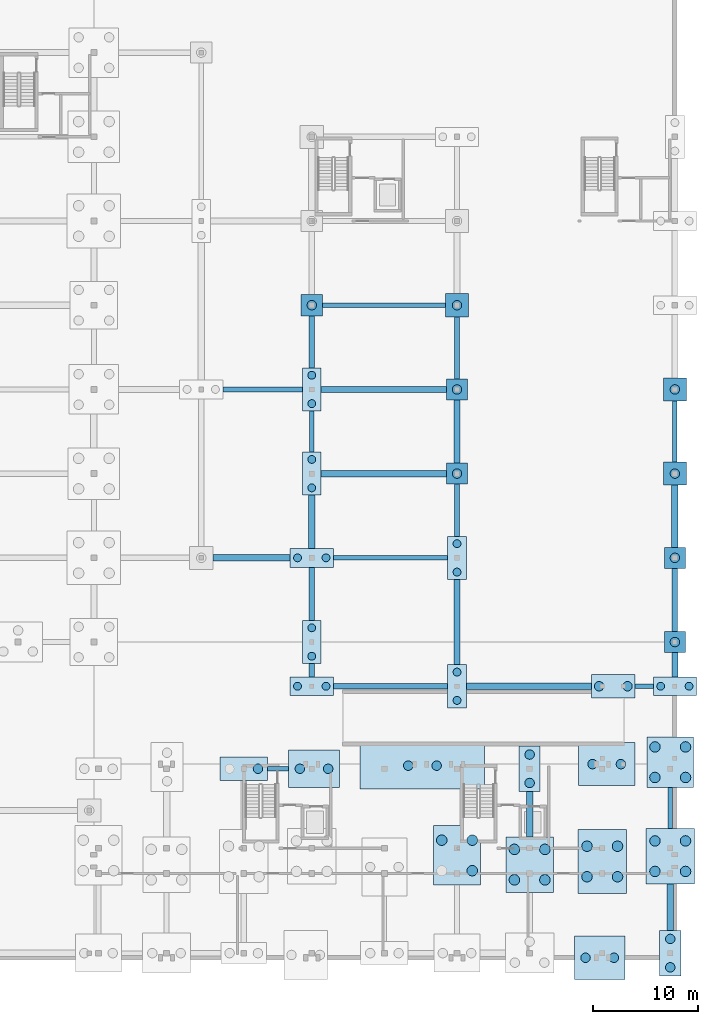
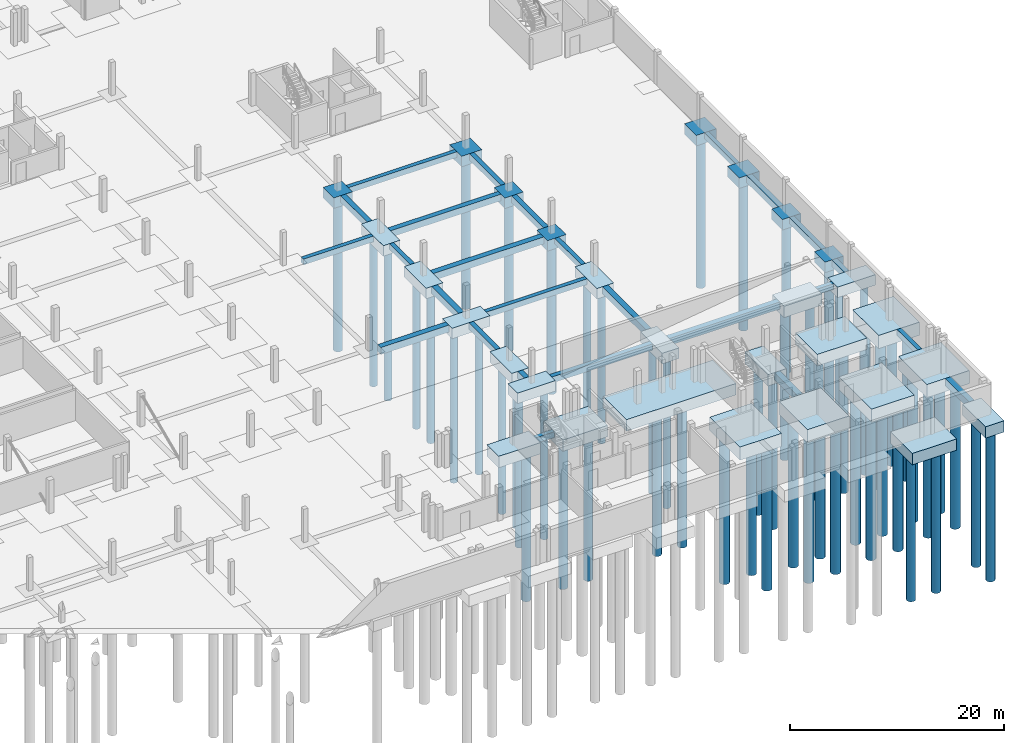
# One storey, part 9 of 38: 58 piles, 55 footings.
"""IFC4 building model written with IfcOpenShell, lengths in metres."""

import ifcopenshell
import ifcopenshell.guid

model = None  # the IFC model being written
_history = None  # IfcOwnerHistory: only IFC2X3 demands one
_inside = {}  # id of a spatial element -> (the spatial element, [elements in it])
_under = {}  # id of a project, library or spatial element -> (it, [spatial elements below it])
_declared = {}  # id of a project -> (the project, [libraries it declares])
_typed = {}  # id of a type object -> (the type object, [elements of that type])
_made_of = {}  # id of a material, layer set ... -> (it, [elements and type objects made of it])


def new_model(schema):
    """Start an empty IFC model of exactly this schema.

    Asked for "IFC4X3", IfcOpenShell would pick the latest addendum, in which some entities
    have other attributes; the version numbers below select the first issue.
    IFC2X3 requires an IfcOwnerHistory on every rooted entity: one is made here for all.
    """
    global model, _history
    if schema == "IFC4X3":
        model = ifcopenshell.file(schema_version=(4, 3, 0, 0))
    else:
        model = ifcopenshell.file(schema=schema)
    _inside.clear()
    _under.clear()
    _declared.clear()
    _typed.clear()
    _made_of.clear()
    _history = None
    if model.schema == "IFC2X3":
        org = make("IfcOrganization", Name="unknown")
        user = make(
            "IfcPersonAndOrganization",
            ThePerson=make("IfcPerson", FamilyName="unknown"),
            TheOrganization=org,
        )
        app = make(
            "IfcApplication",
            ApplicationDeveloper=org,
            Version="unknown",
            ApplicationFullName="unknown",
            ApplicationIdentifier="unknown",
        )
        _history = make(
            "IfcOwnerHistory",
            OwningUser=user,
            OwningApplication=app,
            ChangeAction="ADDED",
            CreationDate=0,
        )
    return model


def make(cls, **values):
    """One entity of the class cls with the attributes given. An attribute that is None is left unset."""
    return model.create_entity(
        cls, **{name: value for name, value in values.items() if value is not None}
    )


def rooted(cls, **values):
    """An entity with a GlobalId (a new one), such as an element, a storey or a relation."""
    return make(cls, GlobalId=ifcopenshell.guid.new(), OwnerHistory=_history, **values)


def si_unit(unit_type, name, prefix=None):
    """IfcSIUnit, for example si_unit("LENGTHUNIT", "METRE", prefix="MILLI")."""
    return make("IfcSIUnit", UnitType=unit_type, Prefix=prefix, Name=name)


def assignment(units):
    """IfcUnitAssignment: the units of a project."""
    return None if units is None else make("IfcUnitAssignment", Units=units)


def point(xyz):
    """IfcCartesianPoint."""
    return None if xyz is None else make("IfcCartesianPoint", Coordinates=xyz)


def direction(xyz):
    """IfcDirection."""
    return None if xyz is None else make("IfcDirection", DirectionRatios=xyz)


def frame(location, z_axis=None, x_axis=None):
    """IfcAxis2Placement3D, a coordinate frame: its origin and axes. An axis left out is left unset."""
    return make(
        "IfcAxis2Placement3D",
        Location=point(location),
        Axis=direction(z_axis),
        RefDirection=direction(x_axis),
    )


def frame_2d(location, x_axis=None):
    """IfcAxis2Placement2D, a coordinate frame in the plane: its origin and x axis."""
    return make(
        "IfcAxis2Placement2D", Location=point(location), RefDirection=direction(x_axis)
    )


def origin():
    """The frame at (0, 0, 0) with its axes left unset."""
    return frame((0.0, 0.0, 0.0))


def origin_2d():
    """The frame at (0, 0) in the plane with its x axis left unset."""
    return frame_2d((0.0, 0.0))


def place(relative_to, where):
    """IfcLocalPlacement: puts the frame where relative to a parent placement (None: the world)."""
    return make(
        "IfcLocalPlacement", PlacementRelTo=relative_to, RelativePlacement=where
    )


def context(
    kind, dimensions, precision=None, world=None, true_north=None, identifier=None
):
    """IfcGeometricRepresentationContext, for example the 3D "Model" context."""
    return make(
        "IfcGeometricRepresentationContext",
        ContextIdentifier=identifier,
        ContextType=kind,
        CoordinateSpaceDimension=dimensions,
        Precision=precision,
        WorldCoordinateSystem=world,
        TrueNorth=true_north,
    )


def subcontext(parent, identifier, kind, view, scale=None):
    """IfcGeometricRepresentationSubContext, for example "Body" below "Model"."""
    return make(
        "IfcGeometricRepresentationSubContext",
        ContextIdentifier=identifier,
        ContextType=kind,
        ParentContext=parent,
        TargetScale=scale,
        TargetView=view,
    )


def project(units=None, contexts=None):
    """IfcProject with its units and contexts."""
    return rooted(
        "IfcProject",
        Name="project",
        RepresentationContexts=contexts,
        UnitsInContext=assignment(units),
    )


def spatial(cls, under=None, at=None, **own):
    """A site, building, storey or space (cls), placed at a placement, below another one or the project."""
    s = rooted(cls, ObjectPlacement=at, **own)
    if under is not None:
        _under.setdefault(under.id(), (under, []))[1].append(s)
    return s


def profile(cls, at=None, kind="AREA", **sizes):
    """A parametric profile (cls). Its sizes go by their IFC names, for example OverallWidth=200.0."""
    return make(cls, ProfileType=kind, Position=at, **sizes)


def rectangle(**sizes):
    """IfcRectangleProfileDef."""
    return profile("IfcRectangleProfileDef", **sizes)


def circle(**sizes):
    """IfcCircleProfileDef."""
    return profile("IfcCircleProfileDef", **sizes)


def extrude(swept, where, along, depth):
    """IfcExtrudedAreaSolid: the profile swept, set in the frame where, extruded along a direction by depth."""
    return make(
        "IfcExtrudedAreaSolid",
        SweptArea=swept,
        Position=where,
        ExtrudedDirection=direction(along),
        Depth=depth,
    )


def shape(context_of_items, identifier, shape_type, items):
    """IfcShapeRepresentation: the items that make up one representation, for example the "Body"."""
    return make(
        "IfcShapeRepresentation",
        ContextOfItems=context_of_items,
        RepresentationIdentifier=identifier,
        RepresentationType=shape_type,
        Items=items,
    )


def material(Name=None, Category=None):
    """IfcMaterial."""
    return make("IfcMaterial", Name=Name, Category=Category)


def material_profile(
    of_material, cross_section, Name=None, Category=None, Priority=None
):
    """IfcMaterialProfile: a cross section and its material."""
    return make(
        "IfcMaterialProfile",
        Name=Name,
        Material=of_material,
        Profile=cross_section,
        Priority=Priority,
        Category=Category,
    )


def profile_set(profiles, Name=None, composite=None):
    """IfcMaterialProfileSet."""
    return make(
        "IfcMaterialProfileSet",
        Name=Name,
        MaterialProfiles=profiles,
        CompositeProfile=composite,
    )


def made_of(thing, what):
    """Note that an element or type object is made of a material, layer set ...; save() writes the relation."""
    if what is not None:
        _made_of.setdefault(what.id(), (what, []))[1].append(thing)
    return thing


def type_object(cls, material=None, **own):
    """A type object (cls), such as IfcWallType, which elements share."""
    return made_of(rooted(cls, **own), material)


def element(
    cls,
    number,
    at=None,
    inside=None,
    cuts=None,
    type_object=None,
    material=None,
    context=None,
    identifier="Body",
    shape_type=None,
    held_by="IfcProductDefinitionShape",
    body=None,
    shapes=None,
    **own,
):
    """One element of the class cls, such as IfcWall. Its Tag is "e" and its number.

    at: its placement. inside: the storey or other place that contains it. cuts: it is an
    opening in that element (IfcRelVoidsElement). A single representation is given by context,
    identifier, shape_type and body (its items); several are given by shapes. held_by: the class
    of the entity that holds the representations. save() writes the other relations.
    """
    e = rooted(cls, Tag="e%d" % number, ObjectPlacement=at, **own)
    if body is not None:
        shapes = [shape(context, identifier, shape_type, body)]
    if shapes is not None:
        e.Representation = make(held_by, Representations=shapes)
    if inside is not None:
        _inside.setdefault(inside.id(), (inside, []))[1].append(e)
    if cuts is not None:
        rooted(
            "IfcRelVoidsElement", RelatingBuildingElement=cuts, RelatedOpeningElement=e
        )
    if type_object is not None:
        _typed.setdefault(type_object.id(), (type_object, []))[1].append(e)
    return made_of(e, material)


def aggregate(whole, parts):
    """IfcRelAggregates: a whole, such as a stair, and the parts it consists of."""
    return rooted("IfcRelAggregates", RelatingObject=whole, RelatedObjects=parts)


def save(model, path):
    """Write the relations noted so far, then the file.

    IfcRelAggregates (storeys below a building ...), IfcRelContainedInSpatialStructure (elements
    in a storey), IfcRelDefinesByType, IfcRelAssociatesMaterial and IfcRelDeclares: one each for
    every whole, place, type object, material and project.
    """
    for whole, parts in _under.values():
        aggregate(whole, parts)
    for where, things in _inside.values():
        rooted(
            "IfcRelContainedInSpatialStructure",
            RelatedElements=things,
            RelatingStructure=where,
        )
    for kind, things in _typed.values():
        rooted("IfcRelDefinesByType", RelatedObjects=things, RelatingType=kind)
    for what, things in _made_of.values():
        rooted("IfcRelAssociatesMaterial", RelatedObjects=things, RelatingMaterial=what)
    for by, libraries in _declared.values():
        rooted("IfcRelDeclares", RelatingContext=by, RelatedDefinitions=libraries)
    model.write(path)


model = new_model("IFC4")

# Units and contexts
model_context = context("Model", 3, precision=1e-05, world=origin(), true_north=direction((0.0, 1.0)))
body_context = subcontext(model_context, "Body", "Model", "MODEL_VIEW")
ifc_project = project(units=[si_unit("LENGTHUNIT", "METRE"), si_unit("AREAUNIT", "SQUARE_METRE"), si_unit("VOLUMEUNIT", "CUBIC_METRE"), si_unit("PLANEANGLEUNIT", "RADIAN"), si_unit("MASSUNIT", "GRAM", prefix="KILO")], contexts=[model_context])

# Site, building, storey
site_placement = place(None, origin())
site = spatial("IfcSite", under=ifc_project, at=site_placement, CompositionType="ELEMENT")
building_placement = place(site_placement, origin())
building = spatial("IfcBuilding", under=site, at=building_placement, Name="Zavelmont Quarter", CompositionType="ELEMENT")
storey_placement = place(building_placement, frame((0.0, 0.0, -3.800048828125)))
storey = spatial("IfcBuildingStorey", under=building, at=storey_placement, Name="B01", CompositionType="ELEMENT", Elevation=-3.800048828125)

# Footings
ifc_material = material(Name="Concrete C35/45", Category="concrete")
footing_type_1 = type_object("IfcFootingType", Name="GB01", PredefinedType="FOOTING_BEAM", material=ifc_material)
footing_1_placement = place(storey_placement, frame((140.97509765625, 25.800048828125, -0.69970703125), z_axis=(0.0, 0.0, 1.0), x_axis=(1.0, 0.0, 0.0)))
element("IfcFooting", 1, at=footing_1_placement, inside=storey, type_object=footing_type_1, Name="B01 ground beam GB01 at 21/E", PredefinedType="FOOTING_BEAM", context=body_context, shape_type="SweptSolid", body=[
    extrude(rectangle(XDim=10.85009765625, YDim=0.5, at=origin_2d()), origin(), (0.0, 0.0, 1.0), 0.699951171875),
])
footing_2_placement = place(storey_placement, frame((133.5, 34.574951171875, -0.69970703125), z_axis=(0.0, 0.0, 1.0), x_axis=(0.0, 1.0, 0.0)))
element("IfcFooting", 2, at=footing_2_placement, inside=storey, type_object=footing_type_1, Name="B01 ground beam GB01 at 20/G", PredefinedType="FOOTING_BEAM", context=body_context, shape_type="SweptSolid", body=[
    extrude(rectangle(XDim=5.050048828125, YDim=0.5, at=origin_2d()), origin(), (0.0, 0.0, 1.0), 0.699951171875),
])
footing_3_placement = place(storey_placement, frame((147.300048828125, 57.949951171875, -0.69970703125), z_axis=(0.0, 0.0, 1.0), x_axis=(0.0, 1.0, 0.0)))
element("IfcFooting", 3, at=footing_3_placement, inside=storey, type_object=footing_type_1, Name="B01 ground beam GB01 at 22/J", PredefinedType="FOOTING_BEAM", context=body_context, shape_type="SweptSolid", body=[
    extrude(rectangle(XDim=5.89990234375, YDim=0.5, at=origin_2d()), origin(), (0.0, 0.0, 1.0), 0.699951171875),
])
footing_4_placement = place(storey_placement, frame((168.0, 34.0, -0.69970703125), z_axis=(0.0, 0.0, 1.0), x_axis=(0.0, 1.0, 0.0)))
element("IfcFooting", 4, at=footing_4_placement, inside=storey, type_object=footing_type_1, Name="B01 ground beam GB01 at 25/F", PredefinedType="FOOTING_BEAM", context=body_context, shape_type="SweptSolid", body=[
    extrude(rectangle(XDim=6.0, YDim=0.5, at=origin_2d()), origin(), (0.0, 0.0, 1.0), 0.699951171875),
])
footing_type_2 = type_object("IfcFootingType", Name="GB02", PredefinedType="FOOTING_BEAM", material=ifc_material)
footing_5_placement = place(storey_placement, frame((154.14990234375, 25.800048828125, -0.7998046875), z_axis=(0.0, 0.0, 1.0), x_axis=(1.0, 0.0, 0.0)))
element("IfcFooting", 5, at=footing_5_placement, inside=storey, type_object=footing_type_2, Name="B01 ground beam GB02 at 23/E", PredefinedType="FOOTING_BEAM", context=body_context, shape_type="SweptSolid", body=[
    extrude(rectangle(XDim=11.89990234375, YDim=0.60009765625, at=origin_2d()), origin(), (0.0, 0.0, 1.0), 0.800048828125),
])
footing_6_placement = place(storey_placement, frame((127.77490234375, 38.0, -0.7998046875), z_axis=(0.0, 0.0, 1.0), x_axis=(1.0, 0.0, 0.0)))
element("IfcFooting", 6, at=footing_6_placement, inside=storey, type_object=footing_type_2, Name="B01 ground beam GB02 at 19/G", PredefinedType="FOOTING_BEAM", context=body_context, shape_type="SweptSolid", body=[
    extrude(rectangle(XDim=7.35009765625, YDim=0.60009765625, at=origin_2d()), origin(), (0.0, 0.0, 1.0), 0.800048828125),
])
footing_7_placement = place(storey_placement, frame((140.35009765625, 46.0, -0.7998046875), z_axis=(0.0, 0.0, 1.0), x_axis=(1.0, 0.0, 0.0)))
element("IfcFooting", 7, at=footing_7_placement, inside=storey, type_object=footing_type_2, Name="B01 ground beam GB02 at 21/H", PredefinedType="FOOTING_BEAM", context=body_context, shape_type="SweptSolid", body=[
    extrude(rectangle(XDim=11.89990234375, YDim=0.60009765625, at=origin_2d()), origin(), (0.0, 0.0, 1.0), 0.800048828125),
])
footing_8_placement = place(storey_placement, frame((133.5, 41.425048828125, -0.7998046875), z_axis=(0.0, 0.0, 1.0), x_axis=(0.0, 1.0, 0.0)))
element("IfcFooting", 8, at=footing_8_placement, inside=storey, type_object=footing_type_2, Name="B01 ground beam GB02 at 20/G", PredefinedType="FOOTING_BEAM", context=body_context, shape_type="SweptSolid", body=[
    extrude(rectangle(XDim=5.050048828125, YDim=0.60009765625, at=origin_2d()), origin(), (0.0, 0.0, 1.0), 0.800048828125),
])
footing_9_placement = place(storey_placement, frame((147.300048828125, 31.89990234375, -0.7998046875), z_axis=(0.0, 0.0, 1.0), x_axis=(0.0, 1.0, 0.0)))
element("IfcFooting", 9, at=footing_9_placement, inside=storey, type_object=footing_type_2, Name="B01 ground beam GB02 at 22/F", PredefinedType="FOOTING_BEAM", context=body_context, shape_type="SweptSolid", body=[
    extrude(rectangle(XDim=8.10009765625, YDim=0.60009765625, at=origin_2d()), origin(), (0.0, 0.0, 1.0), 0.800048828125),
])
footing_10_placement = place(storey_placement, frame((154.199951171875, 13.655029296875, -0.7998046875), z_axis=(0.0, 0.0, 1.0), x_axis=(0.0, 1.0, 0.0)))
element("IfcFooting", 10, at=footing_10_placement, inside=storey, type_object=footing_type_2, Name="B01 ground beam GB02 at 23/C", PredefinedType="FOOTING_BEAM", context=body_context, shape_type="SweptSolid", body=[
    extrude(rectangle(XDim=4.31005859375, YDim=0.60009765625, at=origin_2d()), origin(), (0.0, 0.0, 1.0), 0.800048828125),
])
footing_11_placement = place(storey_placement, frame((167.56005859375, 4.794921875, -0.7998046875), z_axis=(0.0, 0.0, 1.0), x_axis=(0.0, 1.0, 0.0)))
element("IfcFooting", 11, at=footing_11_placement, inside=storey, type_object=footing_type_2, Name="B01 ground beam GB02 at 25/B", PredefinedType="FOOTING_BEAM", context=body_context, shape_type="SweptSolid", body=[
    extrude(rectangle(XDim=4.409912109375, YDim=0.60009765625, at=origin_2d()), origin(), (0.0, 0.0, 1.0), 0.800048828125),
])
footing_12_placement = place(storey_placement, frame((168.0, 41.949951171875, -0.7998046875), z_axis=(0.0, 0.0, 1.0), x_axis=(0.0, 1.0, 0.0)))
element("IfcFooting", 12, at=footing_12_placement, inside=storey, type_object=footing_type_2, Name="B01 ground beam GB02 at 25/G", PredefinedType="FOOTING_BEAM", context=body_context, shape_type="SweptSolid", body=[
    extrude(rectangle(XDim=5.89990234375, YDim=0.60009765625, at=origin_2d()), origin(), (0.0, 0.0, 1.0), 0.800048828125),
])
footing_type_3 = type_object("IfcFootingType", Name="GB03", PredefinedType="FOOTING_BEAM", material=ifc_material)
footing_13_placement = place(storey_placement, frame((130.294921875, 17.9599609375, -0.64990234375), z_axis=(0.0, 0.0, 1.0), x_axis=(1.0, 0.0, 0.0)))
element("IfcFooting", 13, at=footing_13_placement, inside=storey, type_object=footing_type_3, Name="B01 ground beam GB03 at 20/D", PredefinedType="FOOTING_BEAM", context=body_context, shape_type="SweptSolid", body=[
    extrude(rectangle(XDim=2.010009765625, YDim=0.449951171875, at=origin_2d()), origin(), (0.0, 0.0, 1.0), 0.64990234375),
])
footing_14_placement = place(storey_placement, frame((165.074951171875, 25.800048828125, -0.64990234375), z_axis=(0.0, 0.0, 1.0), x_axis=(1.0, 0.0, 0.0)))
element("IfcFooting", 14, at=footing_14_placement, inside=storey, type_object=footing_type_3, Name="B01 ground beam GB03 at 25/E", PredefinedType="FOOTING_BEAM", context=body_context, shape_type="SweptSolid", body=[
    extrude(rectangle(XDim=1.75, YDim=0.449951171875, at=origin_2d()), origin(), (0.0, 0.0, 1.0), 0.64990234375),
])
footing_15_placement = place(storey_placement, frame((140.97509765625, 38.0, -0.64990234375), z_axis=(0.0, 0.0, 1.0), x_axis=(1.0, 0.0, 0.0)))
element("IfcFooting", 15, at=footing_15_placement, inside=storey, type_object=footing_type_3, Name="B01 ground beam GB03 at 21/G", PredefinedType="FOOTING_BEAM", context=body_context, shape_type="SweptSolid", body=[
    extrude(rectangle(XDim=10.85009765625, YDim=0.449951171875, at=origin_2d()), origin(), (0.0, 0.0, 1.0), 0.64990234375),
])
footing_16_placement = place(storey_placement, frame((128.824951171875, 54.0, -0.64990234375), z_axis=(0.0, 0.0, 1.0), x_axis=(1.0, 0.0, 0.0)))
element("IfcFooting", 16, at=footing_16_placement, inside=storey, type_object=footing_type_3, Name="B01 ground beam GB03 at 19/J", PredefinedType="FOOTING_BEAM", context=body_context, shape_type="SweptSolid", body=[
    extrude(rectangle(XDim=7.550048828125, YDim=0.449951171875, at=origin_2d()), origin(), (0.0, 0.0, 1.0), 0.64990234375),
])
footing_17_placement = place(storey_placement, frame((140.35009765625, 62.0, -0.64990234375), z_axis=(0.0, 0.0, 1.0), x_axis=(1.0, 0.0, 0.0)))
element("IfcFooting", 17, at=footing_17_placement, inside=storey, type_object=footing_type_3, Name="B01 ground beam GB03 at 21/K", PredefinedType="FOOTING_BEAM", context=body_context, shape_type="SweptSolid", body=[
    extrude(rectangle(XDim=11.699951171875, YDim=0.449951171875, at=origin_2d()), origin(), (0.0, 0.0, 1.0), 0.64990234375),
])
footing_18_placement = place(storey_placement, frame((133.5, 50.0, -0.64990234375), z_axis=(0.0, 0.0, 1.0), x_axis=(0.0, 1.0, 0.0)))
element("IfcFooting", 18, at=footing_18_placement, inside=storey, type_object=footing_type_3, Name="B01 ground beam GB03 at 20/H", PredefinedType="FOOTING_BEAM", context=body_context, shape_type="SweptSolid", body=[
    extrude(rectangle(XDim=3.89990234375, YDim=0.449951171875, at=origin_2d()), origin(), (0.0, 0.0, 1.0), 0.64990234375),
])
footing_19_placement = place(storey_placement, frame((147.300048828125, 42.52490234375, -0.64990234375), z_axis=(0.0, 0.0, 1.0), x_axis=(0.0, 1.0, 0.0)))
element("IfcFooting", 19, at=footing_19_placement, inside=storey, type_object=footing_type_3, Name="B01 ground beam GB03 at 22/H", PredefinedType="FOOTING_BEAM", context=body_context, shape_type="SweptSolid", body=[
    extrude(rectangle(XDim=4.949951171875, YDim=0.449951171875, at=origin_2d()), origin(), (0.0, 0.0, 1.0), 0.64990234375),
])
footing_20_placement = place(storey_placement, frame((167.56005859375, 14.22998046875, -0.64990234375), z_axis=(0.0, 0.0, 1.0), x_axis=(0.0, 1.0, 0.0)))
element("IfcFooting", 20, at=footing_20_placement, inside=storey, type_object=footing_type_3, Name="B01 ground beam GB03 at 25/C", PredefinedType="FOOTING_BEAM", context=body_context, shape_type="SweptSolid", body=[
    extrude(rectangle(XDim=3.860107421875, YDim=0.449951171875, at=origin_2d()), origin(), (0.0, 0.0, 1.0), 0.64990234375),
])
footing_21_placement = place(storey_placement, frame((168.0, 50.0, -0.64990234375), z_axis=(0.0, 0.0, 1.0), x_axis=(0.0, 1.0, 0.0)))
element("IfcFooting", 21, at=footing_21_placement, inside=storey, type_object=footing_type_3, Name="B01 ground beam GB03 at 25/H", PredefinedType="FOOTING_BEAM", context=body_context, shape_type="SweptSolid", body=[
    extrude(rectangle(XDim=5.800048828125, YDim=0.449951171875, at=origin_2d()), origin(), (0.0, 0.0, 1.0), 0.64990234375),
])
footing_type_4 = type_object("IfcFootingType", Name="GB04", PredefinedType="FOOTING_BEAM", material=ifc_material)
footing_22_placement = place(storey_placement, frame((140.35009765625, 54.0, -0.75), z_axis=(0.0, 0.0, 1.0), x_axis=(1.0, 0.0, 0.0)))
element("IfcFooting", 22, at=footing_22_placement, inside=storey, type_object=footing_type_4, Name="B01 ground beam GB04 at 21/J", PredefinedType="FOOTING_BEAM", context=body_context, shape_type="SweptSolid", body=[
    extrude(rectangle(XDim=11.89990234375, YDim=0.550048828125, at=origin_2d()), origin(), (0.0, 0.0, 1.0), 0.75),
])
footing_23_placement = place(storey_placement, frame((133.5, 27.324951171875, -0.75), z_axis=(0.0, 0.0, 1.0), x_axis=(0.0, 1.0, 0.0)))
element("IfcFooting", 23, at=footing_23_placement, inside=storey, type_object=footing_type_4, Name="B01 ground beam GB04 at 20/E", PredefinedType="FOOTING_BEAM", context=body_context, shape_type="SweptSolid", body=[
    extrude(rectangle(XDim=1.25, YDim=0.550048828125, at=origin_2d()), origin(), (0.0, 0.0, 1.0), 0.75),
])
footing_24_placement = place(storey_placement, frame((133.5, 58.52490234375, -0.75), z_axis=(0.0, 0.0, 1.0), x_axis=(0.0, 1.0, 0.0)))
element("IfcFooting", 24, at=footing_24_placement, inside=storey, type_object=footing_type_4, Name="B01 ground beam GB04 at 20/K", PredefinedType="FOOTING_BEAM", context=body_context, shape_type="SweptSolid", body=[
    extrude(rectangle(XDim=4.949951171875, YDim=0.550048828125, at=origin_2d()), origin(), (0.0, 0.0, 1.0), 0.75),
])
footing_25_placement = place(storey_placement, frame((147.300048828125, 50.0, -0.75), z_axis=(0.0, 0.0, 1.0), x_axis=(0.0, 1.0, 0.0)))
element("IfcFooting", 25, at=footing_25_placement, inside=storey, type_object=footing_type_4, Name="B01 ground beam GB04 at 22/H", PredefinedType="FOOTING_BEAM", context=body_context, shape_type="SweptSolid", body=[
    extrude(rectangle(XDim=6.0, YDim=0.550048828125, at=origin_2d()), origin(), (0.0, 0.0, 1.0), 0.75),
])
footing_26_placement = place(storey_placement, frame((168.0, 27.85009765625, -0.75), z_axis=(0.0, 0.0, 1.0), x_axis=(0.0, 1.0, 0.0)))
element("IfcFooting", 26, at=footing_26_placement, inside=storey, type_object=footing_type_4, Name="B01 ground beam GB04 at 25/E", PredefinedType="FOOTING_BEAM", context=body_context, shape_type="SweptSolid", body=[
    extrude(rectangle(XDim=2.300048828125, YDim=0.550048828125, at=origin_2d()), origin(), (0.0, 0.0, 1.0), 0.75),
])

# Piles
ifc_material_profile_1 = material_profile(ifc_material, circle(Radius=0.5, at=origin_2d()), Name="BP1000")
ifc_profile_set_1 = profile_set([ifc_material_profile_1], Name="Concrete C35/45")
pile_type_1 = type_object("IfcPileType", Name="P01", PredefinedType="BORED", material=ifc_profile_set_1)
for number, where, z_axis, x_axis, name in (
    (27, (152.75, 7.39990234375, -1.39990234375), (0.0, 0.0, -1.0), (1.0, 0.0, 0.0), "B01 bored pile P01 under CAP-017.1"),
    (28, (155.64990234375, 7.39990234375, -1.39990234375), (0.0, 0.0, -1.0), (1.0, 0.0, 0.0), "B01 bored pile P01 under CAP-017.2"),
    (29, (155.64990234375, 10.300048828125, -1.39990234375), (0.0, 0.0, -1.0), (1.0, 0.0, 0.0), "B01 bored pile P01 under CAP-017.3"),
    (30, (152.75, 10.300048828125, -1.39990234375), (0.0, 0.0, -1.0), (1.0, 0.0, 0.0), "B01 bored pile P01 under CAP-017.4"),
    (31, (159.64990234375, 7.699951171875, -1.39990234375), (0.0, 0.0, -1.0), (1.0, 0.0, 0.0), "B01 bored pile P01 under CAP-019.1"),
    (32, (162.550048828125, 7.699951171875, -1.39990234375), (0.0, 0.0, -1.0), (1.0, 0.0, 0.0), "B01 bored pile P01 under CAP-019.2"),
    (33, (162.550048828125, 10.60009765625, -1.39990234375), (0.0, 0.0, -1.0), (1.0, 0.0, 0.0), "B01 bored pile P01 under CAP-019.3"),
    (34, (159.64990234375, 10.60009765625, -1.39990234375), (0.0, 0.0, -1.0), (1.0, 0.0, 0.0), "B01 bored pile P01 under CAP-019.4"),
    (35, (166.110107421875, 8.199951171875, -1.39990234375), (0.0, 0.0, -1.0), (1.0, 0.0, 0.0), "B01 bored pile P01 under CAP-021.1"),
    (36, (169.010009765625, 8.199951171875, -1.39990234375), (0.0, 0.0, -1.0), (1.0, 0.0, 0.0), "B01 bored pile P01 under CAP-021.2"),
    (37, (169.010009765625, 11.10009765625, -1.39990234375), (0.0, 0.0, -1.0), (1.0, 0.0, 0.0), "B01 bored pile P01 under CAP-021.3"),
    (38, (166.110107421875, 11.10009765625, -1.39990234375), (0.0, 0.0, -1.0), (1.0, 0.0, 0.0), "B01 bored pile P01 under CAP-021.4"),
    (39, (148.75, 8.27490234375, -1.39990234375), (0.0, 0.0, -1.0), (1.0, 0.0, 0.0), "B01 bored pile P01 under CAP-023.2"),
    (40, (148.75, 11.175048828125, -1.39990234375), (0.0, 0.0, -1.0), (1.0, 0.0, 0.0), "B01 bored pile P01 under CAP-023.3"),
    (41, (145.85009765625, 11.175048828125, -1.39990234375), (0.0, 0.0, -1.0), (1.0, 0.0, 0.0), "B01 bored pile P01 under CAP-023.4"),
    (42, (166.110107421875, 17.1298828125, -1.39990234375), (0.0, 0.0, -1.0), (1.0, 0.0, 0.0), "B01 bored pile P01 under CAP-042.1"),
    (43, (169.010009765625, 17.1298828125, -1.39990234375), (0.0, 0.0, -1.0), (1.0, 0.0, 0.0), "B01 bored pile P01 under CAP-042.2"),
    (44, (169.010009765625, 20.030029296875, -1.39990234375), (0.0, 0.0, -1.0), (1.0, 0.0, 0.0), "B01 bored pile P01 under CAP-042.3"),
    (45, (166.110107421875, 20.030029296875, -1.39990234375), (0.0, 0.0, -1.0), (1.0, 0.0, 0.0), "B01 bored pile P01 under CAP-042.4"),
):
    element("IfcPile", number, at=place(storey_placement, frame(where, z_axis=z_axis, x_axis=x_axis)), inside=storey, type_object=pile_type_1, Name=name, PredefinedType="BORED", context=body_context, shape_type="SweptSolid", body=[
        extrude(circle(Radius=0.5, at=origin_2d()), origin(), (0.0, 0.0, 1.0), 16.800048828125),
    ])
ifc_material_profile_2 = material_profile(ifc_material, circle(Radius=0.449951171875, at=origin_2d()), Name="BP900")
ifc_profile_set_2 = profile_set([ifc_material_profile_2], Name="Concrete C35/45")
pile_type_2 = type_object("IfcPileType", Name="P03", PredefinedType="BORED", material=ifc_profile_set_2)
for number, where, z_axis, x_axis, name in (
    (46, (159.510009765625, 0.0, -1.199951171875), (0.0, 0.0, -1.0), (1.0, 0.0, 0.0), "B01 bored pile P03 under CAP-001.1"),
    (47, (162.2099609375, 0.0, -1.199951171875), (0.0, 0.0, -1.0), (1.0, 0.0, 0.0), "B01 bored pile P03 under CAP-001.2"),
    (48, (167.56005859375, -0.909912109375, -1.199951171875), (0.0, 0.0, -1.0), (1.0, 0.0, 0.0), "B01 bored pile P03 under CAP-014.1"),
    (49, (167.56005859375, 1.7900390625, -1.199951171875), (0.0, 0.0, -1.0), (1.0, 0.0, 0.0), "B01 bored pile P03 under CAP-014.2"),
    (50, (128.389892578125, 17.9599609375, -1.199951171875), (0.0, 0.0, -1.0), (1.0, 0.0, 0.0), "B01 bored pile P03 under CAP-033.2"),
    (51, (132.364990234375, 17.9599609375, -1.199951171875), (0.0, 0.0, -1.0), (1.0, 0.0, 0.0), "B01 bored pile P03 under CAP-034.1"),
    (52, (135.06494140625, 17.9599609375, -1.199951171875), (0.0, 0.0, -1.0), (1.0, 0.0, 0.0), "B01 bored pile P03 under CAP-034.2"),
    (53, (154.199951171875, 16.610107421875, -1.199951171875), (0.0, 0.0, -1.0), (1.0, 0.0, 0.0), "B01 bored pile P03 under CAP-035.1"),
    (54, (154.199951171875, 19.31005859375, -1.199951171875), (0.0, 0.0, -1.0), (1.0, 0.0, 0.0), "B01 bored pile P03 under CAP-035.2"),
    (55, (142.6650390625, 18.2548828125, -1.199951171875), (0.0, 0.0, -1.0), (1.0, 0.0, 0.0), "B01 bored pile P03 under CAP-037.1"),
    (56, (145.364990234375, 18.2548828125, -1.199951171875), (0.0, 0.0, -1.0), (1.0, 0.0, 0.0), "B01 bored pile P03 under CAP-037.2"),
    (57, (160.175048828125, 18.39990234375, -1.199951171875), (0.0, 0.0, -1.0), (1.0, 0.0, 0.0), "B01 bored pile P03 under CAP-041.1"),
    (58, (162.875, 18.39990234375, -1.199951171875), (0.0, 0.0, -1.0), (1.0, 0.0, 0.0), "B01 bored pile P03 under CAP-041.2"),
    (59, (160.800048828125, 25.800048828125, -1.199951171875), (0.0, 0.0, -1.0), (1.0, 0.0, 0.0), "B01 bored pile P03 under CAP-047.1"),
    (60, (163.5, 25.800048828125, -1.199951171875), (0.0, 0.0, -1.0), (1.0, 0.0, 0.0), "B01 bored pile P03 under CAP-047.2"),
):
    element("IfcPile", number, at=place(storey_placement, frame(where, z_axis=z_axis, x_axis=x_axis)), inside=storey, type_object=pile_type_2, Name=name, PredefinedType="BORED", context=body_context, shape_type="SweptSolid", body=[
        extrude(circle(Radius=0.449951171875, at=origin_2d()), origin(), (0.0, 0.0, 1.0), 17.0),
    ])
ifc_material_profile_3 = material_profile(ifc_material, circle(Radius=0.449951171875, at=origin_2d()), Name="BP900")
ifc_profile_set_3 = profile_set([ifc_material_profile_3], Name="Concrete C35/45")
pile_type_3 = type_object("IfcPileType", Name="P04", PredefinedType="BORED", material=ifc_profile_set_3)
for number, where, z_axis, x_axis, name in (
    (61, (168.0, 30.0, -1.099853515625), (0.0, 0.0, -1.0), (1.0, 0.0, 0.0), "B01 bored pile P04 under CAP-065.1"),
    (62, (168.0, 38.0, -1.099853515625), (0.0, 0.0, -1.0), (1.0, 0.0, 0.0), "B01 bored pile P04 under CAP-078.1"),
    (63, (147.300048828125, 46.0, -1.099853515625), (0.0, 0.0, -1.0), (1.0, 0.0, 0.0), "B01 bored pile P04 under CAP-091.1"),
    (64, (168.0, 46.0, -1.099853515625), (0.0, 0.0, -1.0), (1.0, 0.0, 0.0), "B01 bored pile P04 under CAP-092.1"),
    (65, (147.300048828125, 54.0, -1.099853515625), (0.0, 0.0, -1.0), (1.0, 0.0, 0.0), "B01 bored pile P04 under CAP-104.1"),
    (66, (168.0, 54.0, -1.099853515625), (0.0, 0.0, -1.0), (1.0, 0.0, 0.0), "B01 bored pile P04 under CAP-105.1"),
    (67, (133.5, 62.0, -1.099853515625), (0.0, 0.0, -1.0), (1.0, 0.0, 0.0), "B01 bored pile P04 under CAP-117.1"),
    (68, (147.300048828125, 62.0, -1.099853515625), (0.0, 0.0, -1.0), (1.0, 0.0, 0.0), "B01 bored pile P04 under CAP-118.1"),
):
    element("IfcPile", number, at=place(storey_placement, frame(where, z_axis=z_axis, x_axis=x_axis)), inside=storey, type_object=pile_type_3, Name=name, PredefinedType="BORED", context=body_context, shape_type="SweptSolid", body=[
        extrude(circle(Radius=0.449951171875, at=origin_2d()), origin(), (0.0, 0.0, 1.0), 17.10009765625),
    ])
ifc_material_profile_4 = material_profile(ifc_material, circle(Radius=0.375, at=origin_2d()), Name="BP750")
ifc_profile_set_4 = profile_set([ifc_material_profile_4], Name="Concrete C35/45")
pile_type_4 = type_object("IfcPileType", Name="P05", PredefinedType="BORED", material=ifc_profile_set_4)
for number, where, z_axis, x_axis, name in (
    (69, (132.14990234375, 25.800048828125, -1.099853515625), (0.0, 0.0, -1.0), (1.0, 0.0, 0.0), "B01 bored pile P05 under CAP-045.1"),
    (70, (134.85009765625, 25.800048828125, -1.099853515625), (0.0, 0.0, -1.0), (1.0, 0.0, 0.0), "B01 bored pile P05 under CAP-045.2"),
    (71, (147.300048828125, 24.449951171875, -1.099853515625), (0.0, 0.0, -1.0), (1.0, 0.0, 0.0), "B01 bored pile P05 under CAP-046.1"),
    (72, (147.300048828125, 27.14990234375, -1.099853515625), (0.0, 0.0, -1.0), (1.0, 0.0, 0.0), "B01 bored pile P05 under CAP-046.2"),
    (73, (166.64990234375, 25.800048828125, -1.099853515625), (0.0, 0.0, -1.0), (1.0, 0.0, 0.0), "B01 bored pile P05 under CAP-048.1"),
    (74, (169.35009765625, 25.800048828125, -1.099853515625), (0.0, 0.0, -1.0), (1.0, 0.0, 0.0), "B01 bored pile P05 under CAP-048.2"),
    (75, (133.5, 28.64990234375, -1.099853515625), (0.0, 0.0, -1.0), (1.0, 0.0, 0.0), "B01 bored pile P05 under CAP-064.1"),
    (76, (133.5, 31.35009765625, -1.099853515625), (0.0, 0.0, -1.0), (1.0, 0.0, 0.0), "B01 bored pile P05 under CAP-064.2"),
    (77, (132.14990234375, 38.0, -1.099853515625), (0.0, 0.0, -1.0), (1.0, 0.0, 0.0), "B01 bored pile P05 under CAP-076.1"),
    (78, (134.85009765625, 38.0, -1.099853515625), (0.0, 0.0, -1.0), (1.0, 0.0, 0.0), "B01 bored pile P05 under CAP-076.2"),
    (79, (147.300048828125, 36.64990234375, -1.099853515625), (0.0, 0.0, -1.0), (1.0, 0.0, 0.0), "B01 bored pile P05 under CAP-077.1"),
    (80, (147.300048828125, 39.35009765625, -1.099853515625), (0.0, 0.0, -1.0), (1.0, 0.0, 0.0), "B01 bored pile P05 under CAP-077.2"),
    (81, (133.5, 44.64990234375, -1.099853515625), (0.0, 0.0, -1.0), (1.0, 0.0, 0.0), "B01 bored pile P05 under CAP-090.1"),
    (82, (133.5, 47.35009765625, -1.099853515625), (0.0, 0.0, -1.0), (1.0, 0.0, 0.0), "B01 bored pile P05 under CAP-090.2"),
    (83, (133.5, 52.64990234375, -1.099853515625), (0.0, 0.0, -1.0), (1.0, 0.0, 0.0), "B01 bored pile P05 under CAP-103.1"),
    (84, (133.5, 55.35009765625, -1.099853515625), (0.0, 0.0, -1.0), (1.0, 0.0, 0.0), "B01 bored pile P05 under CAP-103.2"),
):
    element("IfcPile", number, at=place(storey_placement, frame(where, z_axis=z_axis, x_axis=x_axis)), inside=storey, type_object=pile_type_4, Name=name, PredefinedType="BORED", context=body_context, shape_type="SweptSolid", body=[
        extrude(circle(Radius=0.375, at=origin_2d()), origin(), (0.0, 0.0, 1.0), 17.10009765625),
    ])

# Footings
footing_type_5 = type_object("IfcFootingType", Name="PC03", PredefinedType="PILE_CAP", material=ifc_material)
for number, where, z_axis, x_axis, name in (
    (85, (168.0, 30.0, -1.19970703125), (0.0, 0.0, 1.0), (1.0, 0.0, 0.0), "B01 pile cap PC03 at 25/F"),
    (86, (168.0, 38.0, -1.19970703125), (0.0, 0.0, 1.0), (1.0, 0.0, 0.0), "B01 pile cap PC03 at 25/G"),
    (87, (147.300048828125, 46.0, -1.19970703125), (0.0, 0.0, 1.0), (1.0, 0.0, 0.0), "B01 pile cap PC03 at 22/H"),
    (88, (147.300048828125, 54.0, -1.19970703125), (0.0, 0.0, 1.0), (1.0, 0.0, 0.0), "B01 pile cap PC03 at 22/J"),
    (89, (133.5, 62.0, -1.19970703125), (0.0, 0.0, 1.0), (1.0, 0.0, 0.0), "B01 pile cap PC03 at 20/K"),
):
    element("IfcFooting", number, at=place(storey_placement, frame(where, z_axis=z_axis, x_axis=x_axis)), inside=storey, type_object=footing_type_5, Name=name, PredefinedType="PILE_CAP", context=body_context, shape_type="SweptSolid", body=[
        extrude(rectangle(XDim=2.0, YDim=2.0, at=origin_2d()), origin(), (0.0, 0.0, 1.0), 1.199951171875),
    ])
footing_type_6 = type_object("IfcFootingType", Name="PC04", PredefinedType="PILE_CAP", material=ifc_material)
for number, where, z_axis, x_axis, name in (
    (90, (168.0, 46.0, -1.19970703125), (0.0, 0.0, 1.0), (1.0, 0.0, 0.0), "B01 pile cap PC04 at 25/H"),
    (91, (168.0, 54.0, -1.19970703125), (0.0, 0.0, 1.0), (1.0, 0.0, 0.0), "B01 pile cap PC04 at 25/J"),
    (92, (147.300048828125, 62.0, -1.19970703125), (0.0, 0.0, 1.0), (1.0, 0.0, 0.0), "B01 pile cap PC04 at 22/K"),
):
    element("IfcFooting", number, at=place(storey_placement, frame(where, z_axis=z_axis, x_axis=x_axis)), inside=storey, type_object=footing_type_6, Name=name, PredefinedType="PILE_CAP", context=body_context, shape_type="SweptSolid", body=[
        extrude(rectangle(XDim=2.199951171875, YDim=2.199951171875, at=origin_2d()), origin(), (0.0, 0.0, 1.0), 1.199951171875),
    ])
footing_type_7 = type_object("IfcFootingType", Name="PC05", PredefinedType="PILE_CAP", material=ifc_material)
for number, where, z_axis, x_axis, name in (
    (93, (133.5, 25.800048828125, -1.19970703125), (0.0, 0.0, 1.0), (1.0, 0.0, 0.0), "B01 pile cap PC05 at 20/E"),
    (94, (168.0, 25.800048828125, -1.19970703125), (0.0, 0.0, 1.0), (1.0, 0.0, 0.0), "B01 pile cap PC05 at 25/E"),
    (95, (133.5, 38.0, -1.19970703125), (0.0, 0.0, 1.0), (1.0, 0.0, 0.0), "B01 pile cap PC05 at 20/G"),
):
    element("IfcFooting", number, at=place(storey_placement, frame(where, z_axis=z_axis, x_axis=x_axis)), inside=storey, type_object=footing_type_7, Name=name, PredefinedType="PILE_CAP", context=body_context, shape_type="SweptSolid", body=[
        extrude(rectangle(XDim=4.10009765625, YDim=1.800048828125, at=origin_2d()), origin(), (0.0, 0.0, 1.0), 1.199951171875),
    ])
footing_type_8 = type_object("IfcFootingType", Name="PC06", PredefinedType="PILE_CAP", material=ifc_material)
for number, where, z_axis, x_axis, name in (
    (96, (147.300048828125, 25.800048828125, -1.19970703125), (0.0, 0.0, 1.0), (1.0, 0.0, 0.0), "B01 pile cap PC06 at 22/E"),
    (97, (133.5, 30.0, -1.19970703125), (0.0, 0.0, 1.0), (1.0, 0.0, 0.0), "B01 pile cap PC06 at 20/F"),
    (98, (147.300048828125, 38.0, -1.19970703125), (0.0, 0.0, 1.0), (1.0, 0.0, 0.0), "B01 pile cap PC06 at 22/G"),
    (99, (133.5, 46.0, -1.19970703125), (0.0, 0.0, 1.0), (1.0, 0.0, 0.0), "B01 pile cap PC06 at 20/H"),
    (100, (133.5, 54.0, -1.19970703125), (0.0, 0.0, 1.0), (1.0, 0.0, 0.0), "B01 pile cap PC06 at 20/J"),
):
    element("IfcFooting", number, at=place(storey_placement, frame(where, z_axis=z_axis, x_axis=x_axis)), inside=storey, type_object=footing_type_8, Name=name, PredefinedType="PILE_CAP", context=body_context, shape_type="SweptSolid", body=[
        extrude(rectangle(XDim=1.800048828125, YDim=4.10009765625, at=origin_2d()), origin(), (0.0, 0.0, 1.0), 1.199951171875),
    ])
footing_type_9 = type_object("IfcFootingType", Name="PC08", PredefinedType="PILE_CAP", material=ifc_material)
for number, where, z_axis, x_axis, name in (
    (101, (167.56005859375, 0.43994140625, -1.2998046875), (0.0, 0.0, 1.0), (1.0, 0.0, 0.0), "B01 pile cap PC08 at 25/A"),
    (102, (154.199951171875, 17.9599609375, -1.2998046875), (0.0, 0.0, 1.0), (1.0, 0.0, 0.0), "B01 pile cap PC08 at 23/D"),
):
    element("IfcFooting", number, at=place(storey_placement, frame(where, z_axis=z_axis, x_axis=x_axis)), inside=storey, type_object=footing_type_9, Name=name, PredefinedType="PILE_CAP", context=body_context, shape_type="SweptSolid", body=[
        extrude(rectangle(XDim=2.0, YDim=4.300048828125, at=origin_2d()), origin(), (0.0, 0.0, 1.0), 1.300048828125),
    ])
footing_type_10 = type_object("IfcFootingType", Name="PC09", PredefinedType="PILE_CAP", material=ifc_material)
footing_27_placement = place(storey_placement, frame((127.0400390625, 17.9599609375, -1.2998046875), z_axis=(0.0, 0.0, 1.0), x_axis=(1.0, 0.0, 0.0)))
element("IfcFooting", 103, at=footing_27_placement, inside=storey, type_object=footing_type_10, Name="B01 pile cap PC09 at 19/D", PredefinedType="PILE_CAP", context=body_context, shape_type="SweptSolid", body=[
    extrude(rectangle(XDim=4.5, YDim=2.199951171875, at=origin_2d()), origin(), (0.0, 0.0, 1.0), 1.300048828125),
])
footing_type_11 = type_object("IfcFootingType", Name="PCC1183X439", PredefinedType="PILE_CAP", material=ifc_material)
footing_28_placement = place(storey_placement, frame((144.014892578125, 18.2548828125, -1.2998046875), z_axis=(0.0, 0.0, 1.0), x_axis=(1.0, 0.0, 0.0)))
element("IfcFooting", 104, at=footing_28_placement, inside=storey, type_object=footing_type_11, Name="B01 pile cap PCC1183X439 at 22/D", PredefinedType="PILE_CAP", context=body_context, shape_type="SweptSolid", body=[
    extrude(rectangle(XDim=11.830078125, YDim=4.389892578125, at=origin_2d()), origin(), (0.0, 0.0, 1.0), 1.300048828125),
])
footing_type_12 = type_object("IfcFootingType", Name="PCC410X220", PredefinedType="PILE_CAP", material=ifc_material)
footing_29_placement = place(storey_placement, frame((162.14990234375, 25.800048828125, -1.2998046875), z_axis=(0.0, 0.0, 1.0), x_axis=(1.0, 0.0, 0.0)))
element("IfcFooting", 105, at=footing_29_placement, inside=storey, type_object=footing_type_12, Name="B01 pile cap PCC410X220 at 24/E", PredefinedType="PILE_CAP", context=body_context, shape_type="SweptSolid", body=[
    extrude(rectangle(XDim=4.10009765625, YDim=2.199951171875, at=origin_2d()), origin(), (0.0, 0.0, 1.0), 1.300048828125),
])
footing_type_13 = type_object("IfcFootingType", Name="PCC440X484", PredefinedType="PILE_CAP", material=ifc_material)
footing_30_placement = place(storey_placement, frame((167.56005859375, 18.580078125, -1.5), z_axis=(0.0, 0.0, 1.0), x_axis=(1.0, 0.0, 0.0)))
element("IfcFooting", 106, at=footing_30_placement, inside=storey, type_object=footing_type_13, Name="B01 pile cap PCC440X484 at 25/D", PredefinedType="PILE_CAP", context=body_context, shape_type="SweptSolid", body=[
    extrude(rectangle(XDim=4.39990234375, YDim=4.840087890625, at=origin_2d()), origin(), (0.0, 0.0, 1.0), 1.5),
])
footing_type_14 = type_object("IfcFootingType", Name="PCC450X530", PredefinedType="PILE_CAP", material=ifc_material)
footing_31_placement = place(storey_placement, frame((154.199951171875, 8.85009765625, -1.5), z_axis=(0.0, 0.0, 1.0), x_axis=(1.0, 0.0, 0.0)))
element("IfcFooting", 107, at=footing_31_placement, inside=storey, type_object=footing_type_14, Name="B01 pile cap PCC450X530 at 23/B", PredefinedType="PILE_CAP", context=body_context, shape_type="SweptSolid", body=[
    extrude(rectangle(XDim=4.5, YDim=5.300048828125, at=origin_2d()), origin(), (0.0, 0.0, 1.0), 1.5),
])
footing_type_15 = type_object("IfcFootingType", Name="PCC450X565", PredefinedType="PILE_CAP", material=ifc_material)
footing_32_placement = place(storey_placement, frame((147.300048828125, 9.72509765625, -1.5), z_axis=(0.0, 0.0, 1.0), x_axis=(1.0, 0.0, 0.0)))
element("IfcFooting", 108, at=footing_32_placement, inside=storey, type_object=footing_type_15, Name="B01 pile cap PCC450X565 at 22/C", PredefinedType="PILE_CAP", context=body_context, shape_type="SweptSolid", body=[
    extrude(rectangle(XDim=4.5, YDim=5.64990234375, at=origin_2d()), origin(), (0.0, 0.0, 1.0), 1.5),
])
footing_type_16 = type_object("IfcFootingType", Name="PCC460X530", PredefinedType="PILE_CAP", material=ifc_material)
footing_33_placement = place(storey_placement, frame((167.56005859375, 9.64990234375, -1.5), z_axis=(0.0, 0.0, 1.0), x_axis=(1.0, 0.0, 0.0)))
element("IfcFooting", 109, at=footing_33_placement, inside=storey, type_object=footing_type_16, Name="B01 pile cap PCC460X530 at 25/C", PredefinedType="PILE_CAP", context=body_context, shape_type="SweptSolid", body=[
    extrude(rectangle(XDim=4.60009765625, YDim=5.300048828125, at=origin_2d()), origin(), (0.0, 0.0, 1.0), 1.5),
])
footing_type_17 = type_object("IfcFootingType", Name="PCC460X610", PredefinedType="PILE_CAP", material=ifc_material)
footing_34_placement = place(storey_placement, frame((161.10009765625, 9.14990234375, -1.5), z_axis=(0.0, 0.0, 1.0), x_axis=(1.0, 0.0, 0.0)))
element("IfcFooting", 110, at=footing_34_placement, inside=storey, type_object=footing_type_17, Name="B01 pile cap PCC460X610 at 24/B", PredefinedType="PILE_CAP", context=body_context, shape_type="SweptSolid", body=[
    extrude(rectangle(XDim=4.60009765625, YDim=6.10009765625, at=origin_2d()), origin(), (0.0, 0.0, 1.0), 1.5),
])
footing_type_18 = type_object("IfcFootingType", Name="PCC478X410", PredefinedType="PILE_CAP", material=ifc_material)
footing_35_placement = place(storey_placement, frame((160.860107421875, 0.0, -1.2998046875), z_axis=(0.0, 0.0, 1.0), x_axis=(1.0, 0.0, 0.0)))
element("IfcFooting", 111, at=footing_35_placement, inside=storey, type_object=footing_type_18, Name="B01 pile cap PCC478X410 at 24/A", PredefinedType="PILE_CAP", context=body_context, shape_type="SweptSolid", body=[
    extrude(rectangle(XDim=4.780029296875, YDim=4.10009765625, at=origin_2d()), origin(), (0.0, 0.0, 1.0), 1.300048828125),
])
footing_type_19 = type_object("IfcFootingType", Name="PCC483X360", PredefinedType="PILE_CAP", material=ifc_material)
footing_36_placement = place(storey_placement, frame((133.715087890625, 17.9599609375, -1.2998046875), z_axis=(0.0, 0.0, 1.0), x_axis=(1.0, 0.0, 0.0)))
element("IfcFooting", 112, at=footing_36_placement, inside=storey, type_object=footing_type_19, Name="B01 pile cap PCC483X360 at 20/D", PredefinedType="PILE_CAP", context=body_context, shape_type="SweptSolid", body=[
    extrude(rectangle(XDim=4.830078125, YDim=3.60009765625, at=origin_2d()), origin(), (0.0, 0.0, 1.0), 1.300048828125),
])
footing_type_20 = type_object("IfcFootingType", Name="PCC535X410", PredefinedType="PILE_CAP", material=ifc_material)
footing_37_placement = place(storey_placement, frame((161.52490234375, 18.39990234375, -1.2998046875), z_axis=(0.0, 0.0, 1.0), x_axis=(1.0, 0.0, 0.0)))
element("IfcFooting", 113, at=footing_37_placement, inside=storey, type_object=footing_type_20, Name="B01 pile cap PCC535X410 at 24/D", PredefinedType="PILE_CAP", context=body_context, shape_type="SweptSolid", body=[
    extrude(rectangle(XDim=5.35009765625, YDim=4.10009765625, at=origin_2d()), origin(), (0.0, 0.0, 1.0), 1.300048828125),
])

save(model, "model.ifc")
